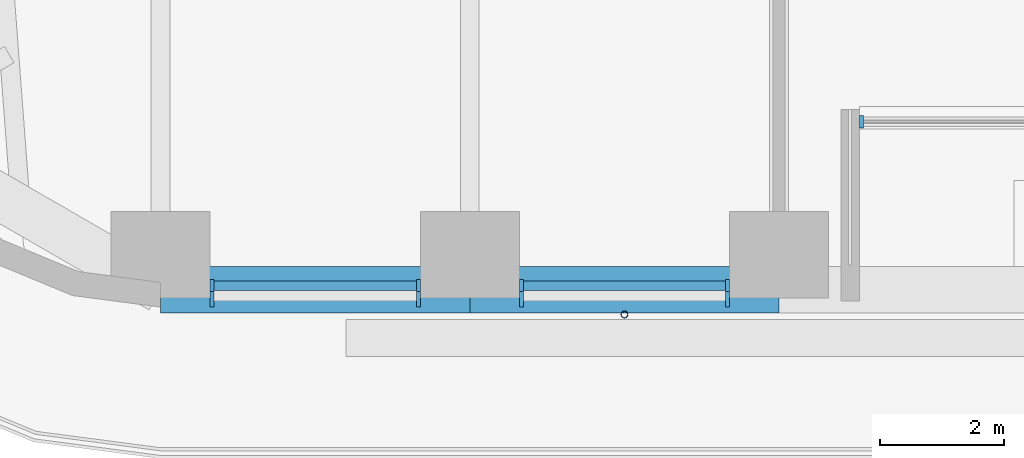
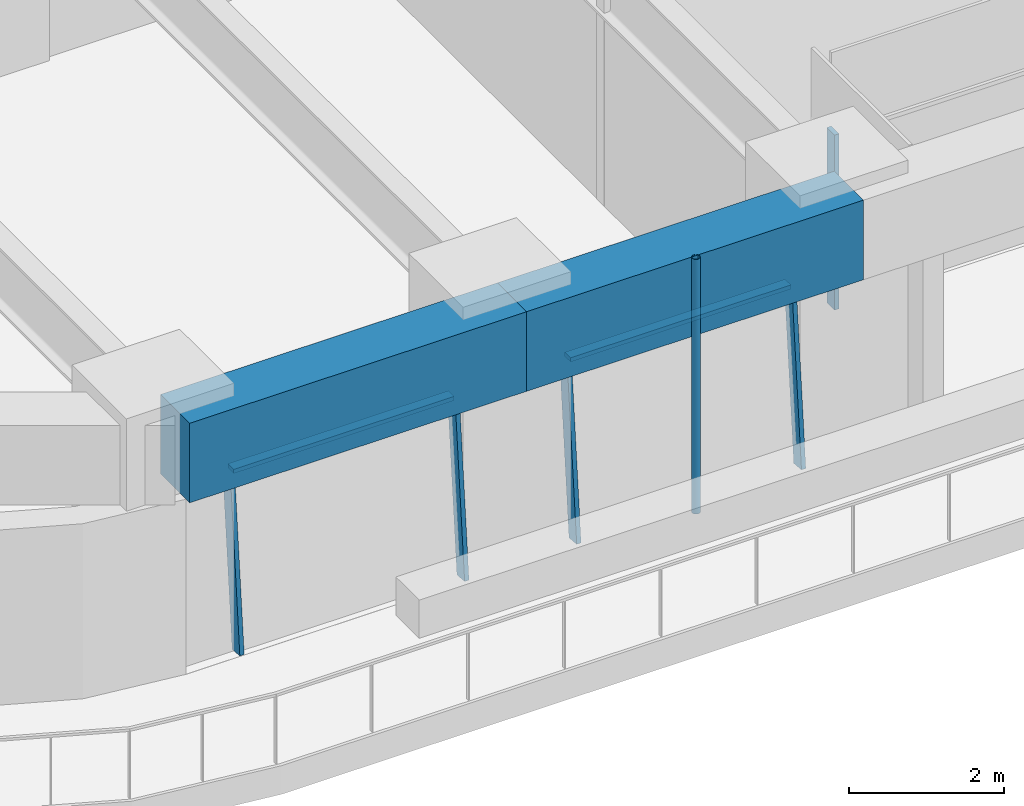
# One storey, part 2 of 24: 8 members, 2 beams, 3 elements without a shape of their own.
"""IFC4 building model written with IfcOpenShell, lengths in metres."""

from ifc_helpers import new_model, si_unit, direction, frame, origin, origin_2d, place, context, subcontext, project, spatial, rectangle, hollow_circle, extrude, material, material_profile, profile_set, type_object, element, aggregate, save


model = new_model("IFC4")

# Units and contexts
model_context = context("Model", 3, precision=1e-05, world=origin(), true_north=direction((0.0, 1.0)))
body_context = subcontext(model_context, "Body", "Model", "MODEL_VIEW")
ifc_project = project(units=[si_unit("LENGTHUNIT", "METRE"), si_unit("AREAUNIT", "SQUARE_METRE"), si_unit("VOLUMEUNIT", "CUBIC_METRE"), si_unit("PLANEANGLEUNIT", "RADIAN"), si_unit("MASSUNIT", "GRAM", prefix="KILO")], contexts=[model_context])

# Site, building, storey
site_placement = place(None, origin())
site = spatial("IfcSite", under=ifc_project, at=site_placement, CompositionType="ELEMENT")
building_placement = place(site_placement, origin())
building = spatial("IfcBuilding", under=site, at=building_placement, Name="Tarfa Lantern Tower", CompositionType="ELEMENT")
storey_placement = place(building_placement, frame((0.0, 0.0, 174.10009765625)))
storey = spatial("IfcBuildingStorey", under=building, at=storey_placement, Name="L39", CompositionType="ELEMENT", Elevation=174.10009765625)

# Curtain wall, members
ifc_material_1 = material(Name="Aluminium framed curtain wall", Category="aluminium")
curtain_wall_type_1 = type_object("IfcCurtainWallType", Name="CW2 CANTED GLAZING MID ZONE 2750", PredefinedType="USERDEFINED", material=ifc_material_1)
curtain_wall_1_placement = place(storey_placement, origin())
curtain_wall_1 = element("IfcCurtainWall", 1, at=curtain_wall_1_placement, inside=storey, type_object=curtain_wall_type_1, Name="CW2 S L39", ObjectType="CURTAIN WALL", PredefinedType="USERDEFINED")
ifc_material_2 = material(Name="Aluminium mullion", Category="aluminium")
ifc_material_profile_1 = material_profile(ifc_material_2, rectangle(XDim=0.06494140625, YDim=0.199951171875, at=origin_2d()), Name="AL MULLION 65x200")
ifc_profile_set_1 = profile_set([ifc_material_profile_1], Name="Aluminium mullion")
member_type_1 = type_object("IfcMemberType", Name="CWM1 MULLION 65x200", PredefinedType="MULLION", material=ifc_profile_set_1)
member_1_placement = place(storey_placement, frame((-14.1787109375, -31.39990234375, 0.0), z_axis=(0.0, 0.090535746043, 0.995893206468), x_axis=(-1.0, 0.0, 0.0)))
member_1 = element("IfcMember", 2, at=member_1_placement, type_object=member_type_1, Name="CW2 mullion 1", PredefinedType="MULLION", context=body_context, shape_type="SweptSolid", body=[
    extrude(rectangle(XDim=0.06494140625, YDim=0.199951171875, at=origin_2d()), origin(), (0.0, 0.0, 1.0), 2.76123046875),
])
member_2_placement = place(storey_placement, frame((-10.83984375, -31.39990234375, 0.0), z_axis=(0.0, 0.090535746043, 0.995893206468), x_axis=(-1.0, 0.0, 0.0)))
member_2 = element("IfcMember", 3, at=member_2_placement, type_object=member_type_1, Name="CW2 mullion 2", PredefinedType="MULLION", context=body_context, shape_type="SweptSolid", body=[
    extrude(rectangle(XDim=0.06494140625, YDim=0.199951171875, at=origin_2d()), origin(), (0.0, 0.0, 1.0), 2.76123046875),
])

curtain_wall_2_placement = place(storey_placement, origin())
curtain_wall_2 = element("IfcCurtainWall", 4, at=curtain_wall_2_placement, inside=storey, type_object=curtain_wall_type_1, Name="CW2 S L39", ObjectType="CURTAIN WALL", PredefinedType="USERDEFINED")
member_3_placement = place(storey_placement, frame((-9.1748046875, -31.39990234375, 0.0), z_axis=(0.0, 0.090535746043, 0.995893206468), x_axis=(-1.0, 0.0, 0.0)))
member_3 = element("IfcMember", 5, at=member_3_placement, type_object=member_type_1, Name="CW2 mullion 1", PredefinedType="MULLION", context=body_context, shape_type="SweptSolid", body=[
    extrude(rectangle(XDim=0.06494140625, YDim=0.199951171875, at=origin_2d()), origin(), (0.0, 0.0, 1.0), 2.76123046875),
])
member_4_placement = place(storey_placement, frame((-5.836181640625, -31.39990234375, 0.0), z_axis=(0.0, 0.090535746043, 0.995893206468), x_axis=(-1.0, 0.0, 0.0)))
member_4 = element("IfcMember", 6, at=member_4_placement, type_object=member_type_1, Name="CW2 mullion 2", PredefinedType="MULLION", context=body_context, shape_type="SweptSolid", body=[
    extrude(rectangle(XDim=0.06494140625, YDim=0.199951171875, at=origin_2d()), origin(), (0.0, 0.0, 1.0), 2.76123046875),
])

# Curtain wall, member
curtain_wall_type_2 = type_object("IfcCurtainWallType", Name="CW10 LOGGIA GLAZING 2750", PredefinedType="USERDEFINED", material=ifc_material_1)
curtain_wall_3_placement = place(storey_placement, origin())
curtain_wall_3 = element("IfcCurtainWall", 7, at=curtain_wall_3_placement, inside=storey, type_object=curtain_wall_type_2, Name="CW10 SL L39", ObjectType="CURTAIN WALL", PredefinedType="USERDEFINED")
member_5_placement = place(storey_placement, frame((-3.671142578125, -28.5, 0.0), z_axis=(0.0, 0.0, 1.0), x_axis=(1.0, 0.0, 0.0)))
member_5 = element("IfcMember", 8, at=member_5_placement, type_object=member_type_1, Name="CW10 mullion 1", PredefinedType="MULLION", context=body_context, shape_type="SweptSolid", body=[
    extrude(rectangle(XDim=0.06494140625, YDim=0.199951171875, at=origin_2d()), origin(), (0.0, 0.0, 1.0), 2.75),
])
aggregate(curtain_wall_3, [member_5])

# Member
ifc_material_3 = material(Name="Aluminium transom", Category="aluminium")
ifc_material_profile_2 = material_profile(ifc_material_3, rectangle(XDim=0.14990234375, YDim=0.06494140625, at=origin_2d()), Name="AL TRANSOM 150x65")
ifc_profile_set_2 = profile_set([ifc_material_profile_2], Name="Aluminium transom")
member_type_2 = type_object("IfcMemberType", Name="CWT1 TRANSOM 150x65", PredefinedType="USERDEFINED", material=ifc_profile_set_2)
member_6_placement = place(storey_placement, frame((-14.14599609375, -31.153076171875, 2.71728515625), z_axis=(1.0, 0.0, 0.0), x_axis=(0.0, 1.0, 0.0)))
member_6 = element("IfcMember", 9, at=member_6_placement, type_object=member_type_2, Name="CW2 transom 1.2", ObjectType="TRANSOM", PredefinedType="USERDEFINED", context=body_context, shape_type="SweptSolid", body=[
    extrude(rectangle(XDim=0.14990234375, YDim=0.06494140625, at=origin_2d()), origin(), (0.0, 0.0, 1.0), 3.273681640625),
])

aggregate(curtain_wall_1, [member_1, member_2, member_6])

member_7_placement = place(storey_placement, frame((-9.142333984375, -31.153076171875, 2.71728515625), z_axis=(1.0, 0.0, 0.0), x_axis=(0.0, 1.0, 0.0)))
member_7 = element("IfcMember", 10, at=member_7_placement, type_object=member_type_2, Name="CW2 transom 1.2", ObjectType="TRANSOM", PredefinedType="USERDEFINED", context=body_context, shape_type="SweptSolid", body=[
    extrude(rectangle(XDim=0.14990234375, YDim=0.06494140625, at=origin_2d()), origin(), (0.0, 0.0, 1.0), 3.273681640625),
])

aggregate(curtain_wall_2, [member_3, member_4, member_7])

# Beams
ifc_material_4 = material(Name="Concrete C80/95", Category="concrete")
ifc_material_profile_3 = material_profile(ifc_material_4, rectangle(XDim=0.75, YDim=1.25, at=origin_2d()), Name="RC 750x1250")
ifc_profile_set_3 = profile_set([ifc_material_profile_3], Name="Concrete C80/95")
beam_type = type_object("IfcBeamType", Name="EB2 RC 750x1250", PredefinedType="SPANDREL", material=ifc_profile_set_3)
for number, where, z_axis, x_axis, name in (
    (11, (-15.010986328125, -31.219970703125, 3.375), (1.0, 0.0, 0.0), (0.0, 1.0, 0.0), "Edge beam S0"),
    (12, (-10.00732421875, -31.219970703125, 3.375), (1.0, 0.0, 0.0), (0.0, 1.0, 0.0), "Edge beam S1"),
):
    element("IfcBeam", number, at=place(storey_placement, frame(where, z_axis=z_axis, x_axis=x_axis)), inside=storey, type_object=beam_type, Name=name, PredefinedType="SPANDREL", context=body_context, shape_type="SweptSolid", body=[
        extrude(rectangle(XDim=0.75, YDim=1.25, at=origin_2d()), origin(), (0.0, 0.0, 1.0), 5.003662109375),
    ])

# Member
ifc_material_5 = material(Name="Steel S355", Category="steel")
ifc_material_profile_4 = material_profile(ifc_material_5, hollow_circle(Radius=0.05712890625, WallThickness=0.00634765625, at=origin_2d()), Name="CHS114.3x6.3")
ifc_profile_set_4 = profile_set([ifc_material_profile_4], Name="Steel S355")
member_type_3 = type_object("IfcMemberType", Name="TR1 GREEN WALL TRELLIS CHS114.3x6.3", PredefinedType="USERDEFINED", material=ifc_profile_set_4)
member_8_placement = place(storey_placement, frame((-7.505615234375, -31.6201171875, 0.0), z_axis=(0.0, 0.0, 1.0), x_axis=(1.0, 0.0, 0.0)))
element("IfcMember", 13, at=member_8_placement, inside=storey, type_object=member_type_3, Name="Trellis post S 1", ObjectType="TRELLIS", PredefinedType="USERDEFINED", context=body_context, shape_type="SweptSolid", body=[
    extrude(hollow_circle(Radius=0.05712890625, WallThickness=0.00634765625, at=origin_2d()), origin(), (0.0, 0.0, 1.0), 4.0),
])

save(model, "model.ifc")
